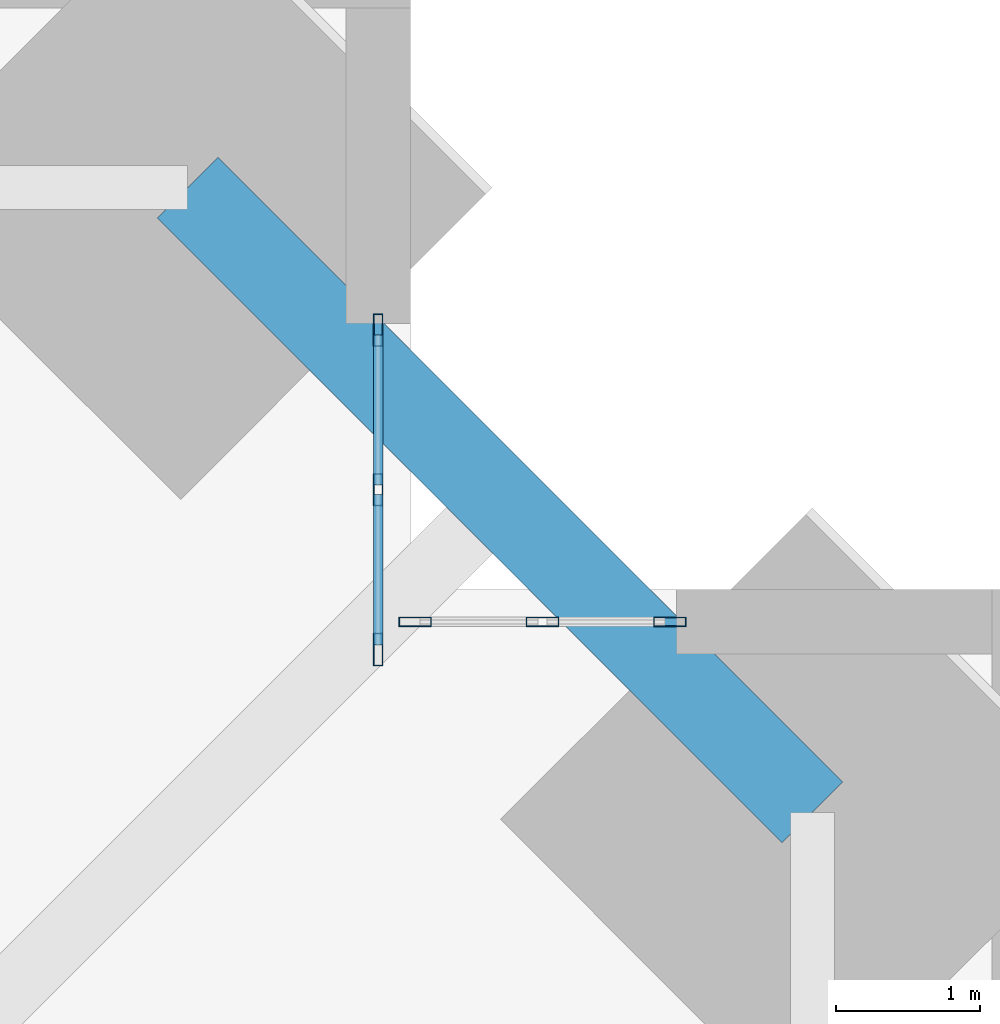
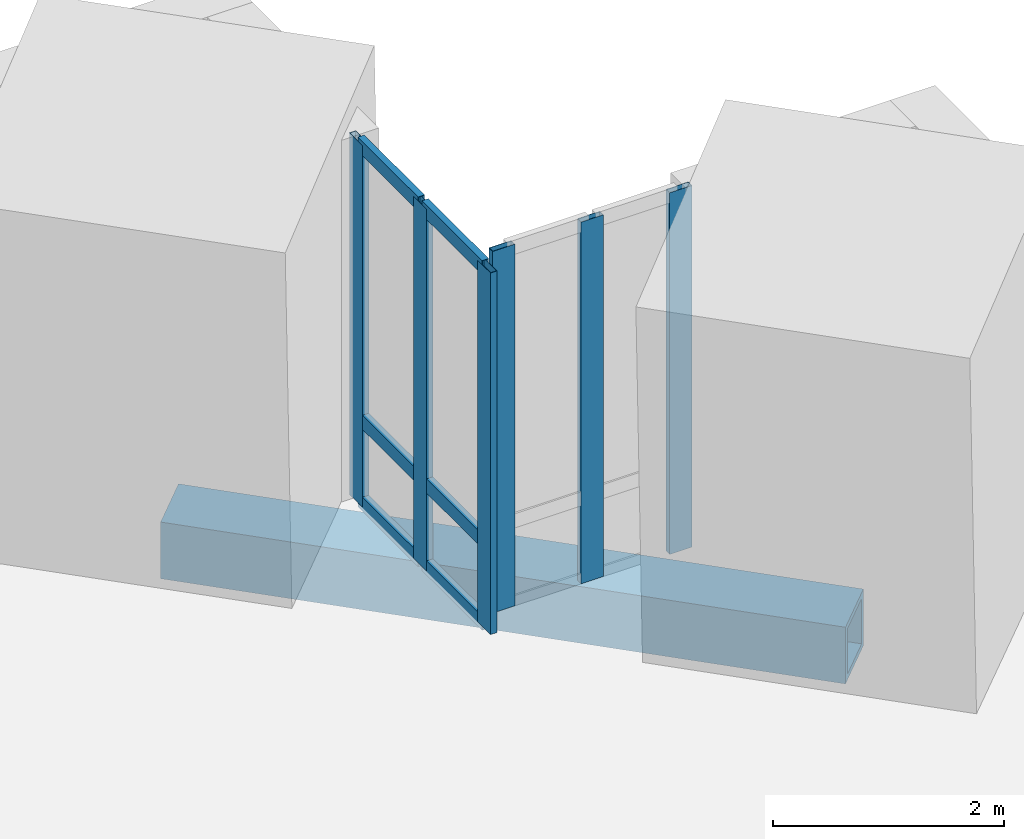
# One storey, part 8 of 17: 12 members, 1 beam, 2 elements without a shape of their own.
"""IFC4 building model written with IfcOpenShell, lengths in metres."""

from ifc_helpers import new_model, si_unit, direction, frame, origin, origin_2d, place, context, subcontext, project, spatial, hollow_rectangle, extrude, material, material_profile, profile_set, type_object, element, aggregate, save


model = new_model("IFC4")

# Units and contexts
model_context = context("Model", 3, precision=1e-05, world=origin(), true_north=direction((0.0, 1.0)))
body_context = subcontext(model_context, "Body", "Model", "MODEL_VIEW")
ifc_project = project(units=[si_unit("LENGTHUNIT", "METRE"), si_unit("AREAUNIT", "SQUARE_METRE"), si_unit("VOLUMEUNIT", "CUBIC_METRE"), si_unit("PLANEANGLEUNIT", "RADIAN"), si_unit("MASSUNIT", "GRAM", prefix="KILO")], contexts=[model_context])

# Site, building, storey
site_placement = place(None, origin())
site = spatial("IfcSite", under=ifc_project, at=site_placement, CompositionType="ELEMENT")
building_placement = place(site_placement, origin())
building = spatial("IfcBuilding", under=site, at=building_placement, Name="Peilmerk Tower", CompositionType="ELEMENT")
storey_placement = place(building_placement, frame((0.0, 0.0, 143.800048828125)))
storey = spatial("IfcBuildingStorey", under=building, at=storey_placement, Name="L29", CompositionType="ELEMENT", Elevation=143.800048828125)

# Beam
ifc_material_1 = material(Name="Steel S460", Category="steel")
ifc_material_profile_1 = material_profile(ifc_material_1, hollow_rectangle(XDim=0.60009765625, YDim=0.60009765625, WallThickness=0.06005859375, at=origin_2d()), Name="BOX 600x600x60")
ifc_profile_set_1 = profile_set([ifc_material_profile_1], Name="Steel S460")
beam_type = type_object("IfcBeamType", Name="B20 BOX 600x600x60 notch beam", PredefinedType="SPANDREL", material=ifc_profile_set_1)
beam_placement = place(storey_placement, frame((20.748291015625, 25.098388671875, -0.469970703125), z_axis=(0.707106781187, -0.707106781187, 0.0), x_axis=(0.707106781187, 0.707106781187, 0.0)))
element("IfcBeam", 1, at=beam_placement, inside=storey, type_object=beam_type, Name="Notch beam L29", PredefinedType="SPANDREL", context=body_context, shape_type="SweptSolid", body=[
    extrude(hollow_rectangle(XDim=0.60009765625, YDim=0.60009765625, WallThickness=0.06005859375, at=origin_2d()), origin(), (0.0, 0.0, 1.0), 6.15185546875),
])

# Curtain wall, members
ifc_material_2 = material(Name="Aluminium stick curtain wall", Category="aluminium")
curtain_wall_type = type_object("IfcCurtainWallType", Name="CW3 stick curtain wall, 2250 module", PredefinedType="NOTDEFINED", material=ifc_material_2)
curtain_wall_1_placement = place(storey_placement, origin())
curtain_wall_1 = element("IfcCurtainWall", 2, at=curtain_wall_1_placement, inside=storey, type_object=curtain_wall_type, Name="Curtain wall CW3 NEA L29", PredefinedType="NOTDEFINED")
ifc_material_3 = material(Name="Aluminium EN AW-6063 T6", Category="aluminium")
ifc_material_profile_2 = material_profile(ifc_material_3, hollow_rectangle(XDim=0.06494140625, YDim=0.22509765625, WallThickness=0.00390625, at=origin_2d()), Name="AL 225x65x4")
ifc_profile_set_2 = profile_set([ifc_material_profile_2], Name="Aluminium EN AW-6063 T6")
member_type_1 = type_object("IfcMemberType", Name="CW3-M AL 225x65x4 mullion", PredefinedType="MULLION", material=ifc_profile_set_2)
member_1_placement = place(storey_placement, frame((22.074951171875, 21.882568359375, 0.0), z_axis=(0.0, 0.0, 1.0), x_axis=(-1.0, 0.0, 0.0)))
member_1 = element("IfcMember", 3, at=member_1_placement, type_object=member_type_1, Name="CW3 mullion 1", PredefinedType="MULLION", context=body_context, shape_type="SweptSolid", body=[
    extrude(hollow_rectangle(XDim=0.06494140625, YDim=0.22509765625, WallThickness=0.00390625, at=origin_2d()), origin(), (0.0, 0.0, 1.0), 3.829833984375),
])
member_2_placement = place(storey_placement, frame((22.074951171875, 22.994384765625, 0.0), z_axis=(0.0, 0.0, 1.0), x_axis=(-1.0, 0.0, 0.0)))
member_2 = element("IfcMember", 4, at=member_2_placement, type_object=member_type_1, Name="CW3 mullion 2", PredefinedType="MULLION", context=body_context, shape_type="SweptSolid", body=[
    extrude(hollow_rectangle(XDim=0.06494140625, YDim=0.22509765625, WallThickness=0.00390625, at=origin_2d()), origin(), (0.0, 0.0, 1.0), 3.829833984375),
])
member_3_placement = place(storey_placement, frame((22.074951171875, 24.106201171875, 0.0), z_axis=(0.0, 0.0, 1.0), x_axis=(-1.0, 0.0, 0.0)))
member_3 = element("IfcMember", 5, at=member_3_placement, type_object=member_type_1, Name="CW3 mullion 3", PredefinedType="MULLION", context=body_context, shape_type="SweptSolid", body=[
    extrude(hollow_rectangle(XDim=0.06494140625, YDim=0.22509765625, WallThickness=0.00390625, at=origin_2d()), origin(), (0.0, 0.0, 1.0), 3.829833984375),
])

curtain_wall_2_placement = place(storey_placement, origin())
curtain_wall_2 = element("IfcCurtainWall", 6, at=curtain_wall_2_placement, inside=storey, type_object=curtain_wall_type, Name="Curtain wall CW3 NEB L29", PredefinedType="NOTDEFINED")
member_4_placement = place(storey_placement, frame((22.33251953125, 22.074951171875, 0.0), z_axis=(0.0, 0.0, 1.0), x_axis=(0.0, 1.0, 0.0)))
member_4 = element("IfcMember", 7, at=member_4_placement, type_object=member_type_1, Name="CW3 mullion 1", PredefinedType="MULLION", context=body_context, shape_type="SweptSolid", body=[
    extrude(hollow_rectangle(XDim=0.06494140625, YDim=0.22509765625, WallThickness=0.00390625, at=origin_2d()), origin(), (0.0, 0.0, 1.0), 3.829833984375),
])
member_5_placement = place(storey_placement, frame((23.21923828125, 22.074951171875, 0.0), z_axis=(0.0, 0.0, 1.0), x_axis=(0.0, 1.0, 0.0)))
member_5 = element("IfcMember", 8, at=member_5_placement, type_object=member_type_1, Name="CW3 mullion 2", PredefinedType="MULLION", context=body_context, shape_type="SweptSolid", body=[
    extrude(hollow_rectangle(XDim=0.06494140625, YDim=0.22509765625, WallThickness=0.00390625, at=origin_2d()), origin(), (0.0, 0.0, 1.0), 3.829833984375),
])
member_6_placement = place(storey_placement, frame((24.106201171875, 22.074951171875, 0.0), z_axis=(0.0, 0.0, 1.0), x_axis=(0.0, 1.0, 0.0)))
member_6 = element("IfcMember", 9, at=member_6_placement, type_object=member_type_1, Name="CW3 mullion 3", PredefinedType="MULLION", context=body_context, shape_type="SweptSolid", body=[
    extrude(hollow_rectangle(XDim=0.06494140625, YDim=0.22509765625, WallThickness=0.00390625, at=origin_2d()), origin(), (0.0, 0.0, 1.0), 3.829833984375),
])
aggregate(curtain_wall_2, [member_4, member_5, member_6])

# Member
ifc_material_profile_3 = material_profile(ifc_material_3, hollow_rectangle(XDim=0.06494140625, YDim=0.14990234375, WallThickness=0.0029296875, at=origin_2d()), Name="AL 150x65x3")
ifc_profile_set_3 = profile_set([ifc_material_profile_3], Name="Aluminium EN AW-6063 T6")
member_type_2 = type_object("IfcMemberType", Name="CW3-T AL 150x65x3 transom", PredefinedType="USERDEFINED", material=ifc_profile_set_3)
member_7_placement = place(storey_placement, frame((22.074951171875, 21.9150390625, 0.032470703125), z_axis=(0.0, 1.0, 0.0), x_axis=(-1.0, 0.0, 0.0)))
member_7 = element("IfcMember", 10, at=member_7_placement, type_object=member_type_2, Name="CW3 transom 1.1", ObjectType="TRANSOM", PredefinedType="USERDEFINED", context=body_context, shape_type="SweptSolid", body=[
    extrude(hollow_rectangle(XDim=0.06494140625, YDim=0.14990234375, WallThickness=0.0029296875, at=origin_2d()), origin(), (0.0, 0.0, 1.0), 1.046875),
])

member_8_placement = place(storey_placement, frame((22.074951171875, 21.9150390625, 0.89990234375), z_axis=(0.0, 1.0, 0.0), x_axis=(-1.0, 0.0, 0.0)))
member_8 = element("IfcMember", 11, at=member_8_placement, type_object=member_type_2, Name="CW3 transom 1.2", ObjectType="TRANSOM", PredefinedType="USERDEFINED", context=body_context, shape_type="SweptSolid", body=[
    extrude(hollow_rectangle(XDim=0.06494140625, YDim=0.14990234375, WallThickness=0.0029296875, at=origin_2d()), origin(), (0.0, 0.0, 1.0), 1.046875),
])

member_9_placement = place(storey_placement, frame((22.074951171875, 21.9150390625, 3.79736328125), z_axis=(0.0, 1.0, 0.0), x_axis=(-1.0, 0.0, 0.0)))
member_9 = element("IfcMember", 12, at=member_9_placement, type_object=member_type_2, Name="CW3 transom 1.3", ObjectType="TRANSOM", PredefinedType="USERDEFINED", context=body_context, shape_type="SweptSolid", body=[
    extrude(hollow_rectangle(XDim=0.06494140625, YDim=0.14990234375, WallThickness=0.0029296875, at=origin_2d()), origin(), (0.0, 0.0, 1.0), 1.046875),
])

member_10_placement = place(storey_placement, frame((22.074951171875, 23.02685546875, 0.032470703125), z_axis=(0.0, 1.0, 0.0), x_axis=(-1.0, 0.0, 0.0)))
member_10 = element("IfcMember", 13, at=member_10_placement, type_object=member_type_2, Name="CW3 transom 2.1", ObjectType="TRANSOM", PredefinedType="USERDEFINED", context=body_context, shape_type="SweptSolid", body=[
    extrude(hollow_rectangle(XDim=0.06494140625, YDim=0.14990234375, WallThickness=0.0029296875, at=origin_2d()), origin(), (0.0, 0.0, 1.0), 1.046875),
])

member_11_placement = place(storey_placement, frame((22.074951171875, 23.02685546875, 0.89990234375), z_axis=(0.0, 1.0, 0.0), x_axis=(-1.0, 0.0, 0.0)))
member_11 = element("IfcMember", 14, at=member_11_placement, type_object=member_type_2, Name="CW3 transom 2.2", ObjectType="TRANSOM", PredefinedType="USERDEFINED", context=body_context, shape_type="SweptSolid", body=[
    extrude(hollow_rectangle(XDim=0.06494140625, YDim=0.14990234375, WallThickness=0.0029296875, at=origin_2d()), origin(), (0.0, 0.0, 1.0), 1.046875),
])

member_12_placement = place(storey_placement, frame((22.074951171875, 23.02685546875, 3.79736328125), z_axis=(0.0, 1.0, 0.0), x_axis=(-1.0, 0.0, 0.0)))
member_12 = element("IfcMember", 15, at=member_12_placement, type_object=member_type_2, Name="CW3 transom 2.3", ObjectType="TRANSOM", PredefinedType="USERDEFINED", context=body_context, shape_type="SweptSolid", body=[
    extrude(hollow_rectangle(XDim=0.06494140625, YDim=0.14990234375, WallThickness=0.0029296875, at=origin_2d()), origin(), (0.0, 0.0, 1.0), 1.046875),
])

aggregate(curtain_wall_1, [member_1, member_2, member_3, member_7, member_8, member_9, member_10, member_11, member_12])

save(model, "model.ifc")
